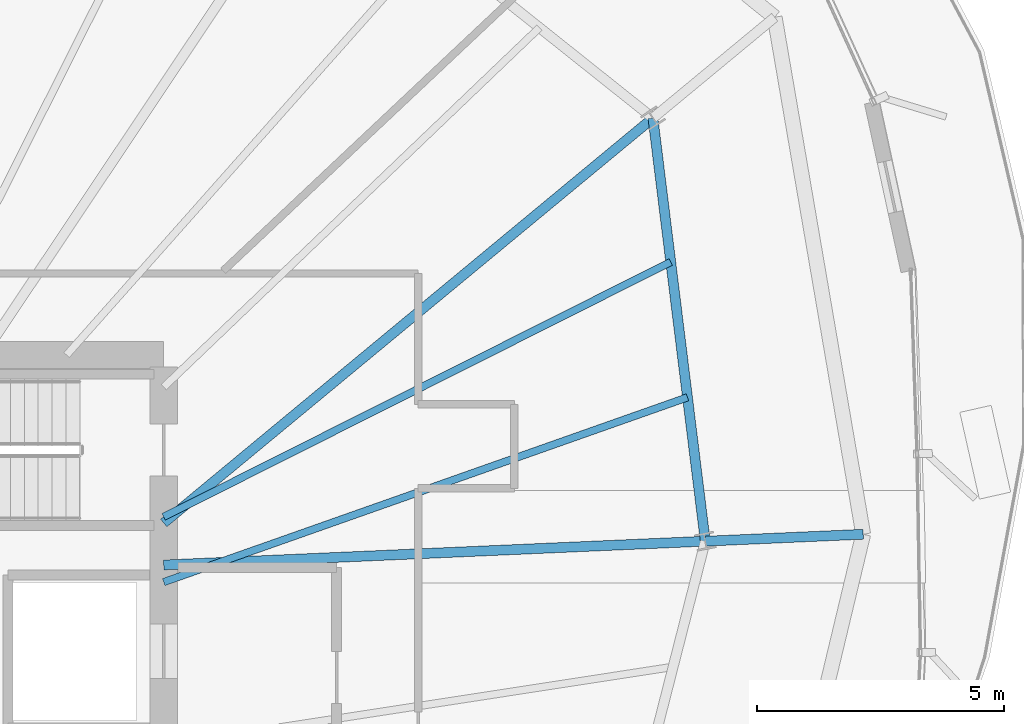
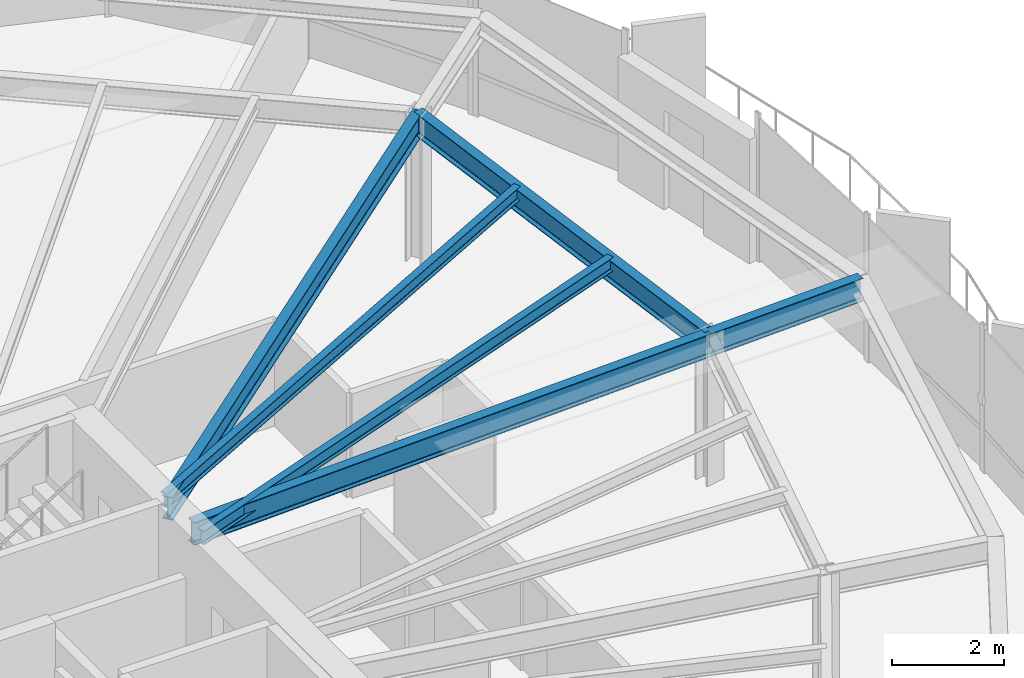
# One storey, part 18 of 35: 6 beams.
"""IFC4 building model written with IfcOpenShell, lengths in metres."""

from ifc_helpers import new_model, si_unit, direction, frame, origin, origin_2d, place, context, subcontext, project, spatial, i_section, extrude, source, transform, mapped, material, material_profile, profile_set, type_object, element, save


model = new_model("IFC4")

# Units and contexts
model_context = context("Model", 3, precision=1e-05, world=origin(), true_north=direction((0.0, 1.0)))
body_context = subcontext(model_context, "Body", "Model", "MODEL_VIEW")
ifc_project = project(units=[si_unit("LENGTHUNIT", "METRE"), si_unit("AREAUNIT", "SQUARE_METRE"), si_unit("VOLUMEUNIT", "CUBIC_METRE"), si_unit("PLANEANGLEUNIT", "RADIAN"), si_unit("MASSUNIT", "GRAM", prefix="KILO"), si_unit("THERMODYNAMICTEMPERATUREUNIT", "KELVIN")], contexts=[model_context])

# Site, building, storey
site_placement = place(None, origin())
site = spatial("IfcSite", under=ifc_project, at=site_placement, CompositionType="ELEMENT")
building_placement = place(site_placement, origin())
building = spatial("IfcBuilding", under=site, at=building_placement, Name="Kethvar Cultural Tower", CompositionType="ELEMENT")
storey_placement = place(building_placement, frame((0.0, 0.0, 179.89990234375)))
storey = spatial("IfcBuildingStorey", under=building, at=storey_placement, Name="L46", CompositionType="ELEMENT", Elevation=179.89990234375)

# Beams
ifc_material = material(Name="Steel S355J2", Category="steel")
ifc_material_profile_1 = material_profile(ifc_material, i_section(OverallWidth=0.199951171875, OverallDepth=0.5, WebThickness=0.01025390625, FlangeThickness=0.01611328125, FilletRadius=0.02099609375, at=origin_2d()), Name="Steel S355J2 — IPE500")
ifc_profile_set_1 = profile_set([ifc_material_profile_1], Name="Steel S355J2 — IPE500")
beam_type_1 = type_object("IfcBeamType", Name="BM-IPE500", PredefinedType="BEAM", material=ifc_profile_set_1)
shared_shape_1 = source(origin(), body_context, "Body", "SweptSolid", [
    extrude(i_section(OverallWidth=0.199951171875, OverallDepth=0.5, WebThickness=0.01025390625, FlangeThickness=0.01611328125, FilletRadius=0.02099609375, at=origin_2d()), origin(), (0.0, 0.0, 1.0), 10.974365234375),
])
beam_1_placement = place(storey_placement, frame((55.60009765625, 31.25, 3.008056640625), z_axis=(0.999038235064, 0.043847518511, 0.0), x_axis=(-0.043847518511, 0.999038235064, 0.0)))
element("IfcBeam", 1, at=beam_1_placement, inside=storey, type_object=beam_type_1, Name="L46 Primary Radial Beam RB-01", PredefinedType="BEAM", context=body_context, shape_type="MappedRepresentation", body=[
    mapped(shared_shape_1, transform((0.0, 0.0, 0.0), scale=1.0)),
])
shared_shape_2 = source(origin(), body_context, "Body", "SweptSolid", [
    extrude(i_section(OverallWidth=0.199951171875, OverallDepth=0.5, WebThickness=0.01025390625, FlangeThickness=0.01611328125, FilletRadius=0.02099609375, at=origin_2d()), origin(), (0.0, 0.0, 1.0), 3.2001953125),
])
beam_2_placement = place(storey_placement, frame((66.56396484375, 31.731201171875, 3.008056640625), z_axis=(0.999037352633, 0.043867619531, 0.0), x_axis=(-0.043867619531, 0.999037352633, 0.0)))
element("IfcBeam", 2, at=beam_2_placement, inside=storey, type_object=beam_type_1, Name="L46 Perimeter Cantilever Beam RC-01", PredefinedType="BEAM", context=body_context, shape_type="MappedRepresentation", body=[
    mapped(shared_shape_2, transform((0.0, 0.0, 0.0), scale=1.0)),
])
shared_shape_3 = source(origin(), body_context, "Body", "SweptSolid", [
    extrude(i_section(OverallWidth=0.199951171875, OverallDepth=0.5, WebThickness=0.01025390625, FlangeThickness=0.01611328125, FilletRadius=0.02099609375, at=origin_2d()), origin(), (0.0, 0.0, 1.0), 12.8564453125),
])
beam_3_placement = place(storey_placement, frame((55.60009765625, 32.10009765625, 3.008056640625), z_axis=(0.770354115625, 0.637616292561, 0.0), x_axis=(-0.637616292561, 0.770354115625, 0.0)))
element("IfcBeam", 3, at=beam_3_placement, inside=storey, type_object=beam_type_1, Name="L46 Primary Radial Beam RB-02", PredefinedType="BEAM", context=body_context, shape_type="MappedRepresentation", body=[
    mapped(shared_shape_3, transform((0.0, 0.0, 0.0), scale=1.0)),
])
shared_shape_4 = source(origin(), body_context, "Body", "SweptSolid", [
    extrude(i_section(OverallWidth=0.199951171875, OverallDepth=0.5, WebThickness=0.01025390625, FlangeThickness=0.01611328125, FilletRadius=0.02099609375, at=origin_2d()), origin(), (0.0, 0.0, 1.0), 8.6318359375),
])
beam_4_placement = place(storey_placement, frame((66.56396484375, 31.731201171875, 3.008056640625), z_axis=(-0.122781430908, 0.992433735936, 0.0), x_axis=(-0.992433735936, -0.122781430908, 0.0)))
element("IfcBeam", 4, at=beam_4_placement, inside=storey, type_object=beam_type_1, Name="L46 Column Ring Tie Beam CR-01", PredefinedType="BEAM", context=body_context, shape_type="MappedRepresentation", body=[
    mapped(shared_shape_4, transform((0.0, 0.0, 0.0), scale=1.0)),
])
ifc_material_profile_2 = material_profile(ifc_material, i_section(OverallWidth=0.14990234375, OverallDepth=0.300048828125, WebThickness=0.007080078125, FlangeThickness=0.0107421875, FilletRadius=0.014892578125, at=origin_2d()), Name="Steel S355J2 — IPE300")
ifc_profile_set_2 = profile_set([ifc_material_profile_2], Name="Steel S355J2 — IPE300")
beam_type_2 = type_object("IfcBeamType", Name="BM-J300", PredefinedType="JOIST", material=ifc_profile_set_2)
shared_shape_5 = source(origin(), body_context, "Body", "SweptSolid", [
    extrude(i_section(OverallWidth=0.14990234375, OverallDepth=0.300048828125, WebThickness=0.007080078125, FlangeThickness=0.0107421875, FilletRadius=0.014892578125, at=origin_2d()), origin(), (0.0, 0.0, 1.0), 11.24365234375),
])
beam_5_placement = place(storey_placement, frame((55.60009765625, 30.90380859375, 3.108154296875), z_axis=(0.943058059975, 0.332628164044, 0.0), x_axis=(-0.332628164044, 0.943058059975, 0.0)))
element("IfcBeam", 5, at=beam_5_placement, inside=storey, type_object=beam_type_2, Name="L46 Composite Floor Joist J-01A", PredefinedType="JOIST", context=body_context, shape_type="MappedRepresentation", body=[
    mapped(shared_shape_5, transform((0.0, 0.0, 0.0), scale=1.0)),
])
shared_shape_6 = source(origin(), body_context, "Body", "SweptSolid", [
    extrude(i_section(OverallWidth=0.14990234375, OverallDepth=0.300048828125, WebThickness=0.007080078125, FlangeThickness=0.0107421875, FilletRadius=0.014892578125, at=origin_2d()), origin(), (0.0, 0.0, 1.0), 11.48876953125),
])
beam_6_placement = place(storey_placement, frame((55.60009765625, 32.224365234375, 3.108154296875), z_axis=(0.893434724969, 0.449193045605, 0.0), x_axis=(-0.449193045605, 0.893434724969, 0.0)))
element("IfcBeam", 6, at=beam_6_placement, inside=storey, type_object=beam_type_2, Name="L46 Composite Floor Joist J-01B", PredefinedType="JOIST", context=body_context, shape_type="MappedRepresentation", body=[
    mapped(shared_shape_6, transform((0.0, 0.0, 0.0), scale=1.0)),
])

save(model, "model.ifc")
